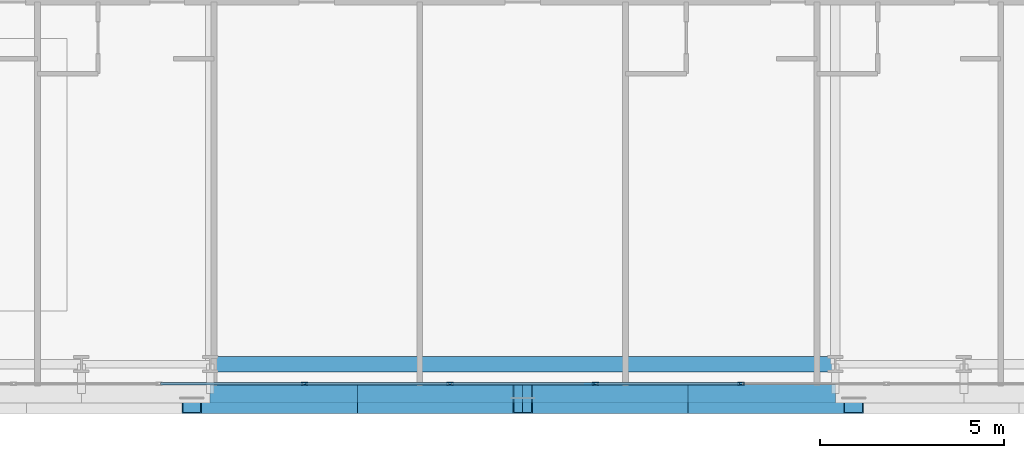
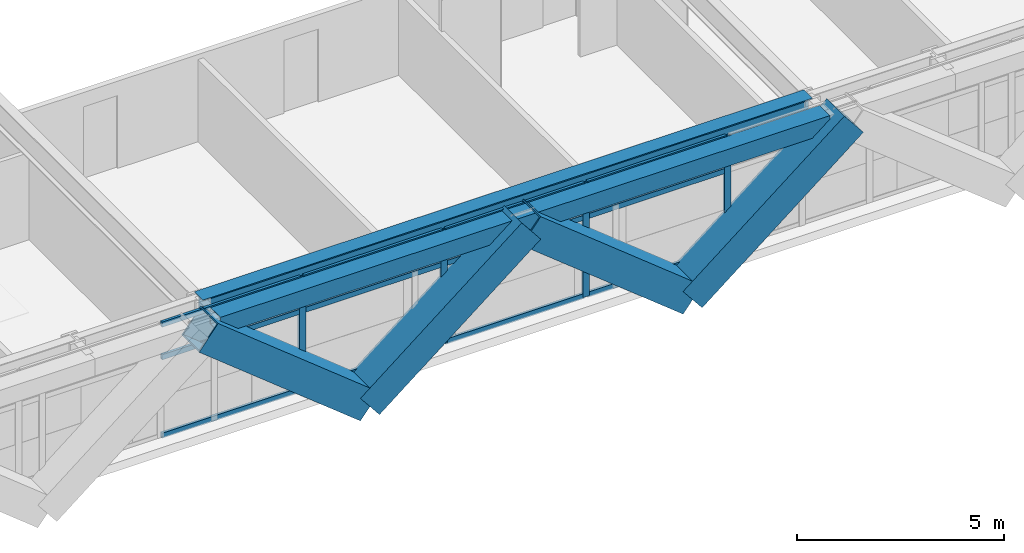
# One storey, part 5 of 41: 20 members, 2 beams, 1 element without a shape of its own.
"""IFC4 building model written with IfcOpenShell, lengths in metres."""

from ifc_helpers import new_model, si_unit, direction, frame, origin, origin_2d, place, context, subcontext, project, spatial, hollow_rectangle, i_section, extrude, source, transform, mapped, material, layer, layer_set, material_profile, profile_set, type_object, element, aggregate, save


model = new_model("IFC4")

# Units and contexts
model_context = context("Model", 3, precision=1e-05, world=origin(), true_north=direction((0.0, 1.0)))
body_context = subcontext(model_context, "Body", "Model", "MODEL_VIEW")
ifc_project = project(units=[si_unit("LENGTHUNIT", "METRE"), si_unit("AREAUNIT", "SQUARE_METRE"), si_unit("VOLUMEUNIT", "CUBIC_METRE"), si_unit("PLANEANGLEUNIT", "RADIAN"), si_unit("MASSUNIT", "GRAM", prefix="KILO")], contexts=[model_context])

# Site, building, storey
site_placement = place(None, origin())
site = spatial("IfcSite", under=ifc_project, at=site_placement, CompositionType="ELEMENT")
building_placement = place(site_placement, origin())
building = spatial("IfcBuilding", under=site, at=building_placement, Name="Ocotamira Hotel", CompositionType="ELEMENT")
storey_placement = place(building_placement, frame((0.0, 0.0, 67.199951171875)))
storey = spatial("IfcBuildingStorey", under=building, at=storey_placement, Name="L16", CompositionType="ELEMENT", Elevation=67.199951171875)

# Beams
ifc_material_1 = material(Name="Steel ASTM A992 Grade 50", Category="steel")
ifc_material_profile_1 = material_profile(ifc_material_1, i_section(OverallWidth=0.41796875, OverallDepth=0.927001953125, WebThickness=0.019287109375, FlangeThickness=0.031982421875, FilletRadius=0.02392578125, at=origin_2d()), Name="W36X231")
ifc_profile_set_1 = profile_set([ifc_material_profile_1], Name="Steel ASTM A992 Grade 50")
beam_type_1 = type_object("IfcBeamType", Name="BM-GIRD-W36X231", PredefinedType="BEAM", material=ifc_profile_set_1)
shared_shape_1 = source(origin(), body_context, "Body", "SweptSolid", [
    extrude(i_section(OverallWidth=0.41796875, OverallDepth=0.927001953125, WebThickness=0.019287109375, FlangeThickness=0.031982421875, FilletRadius=0.02392578125, at=origin_2d()), origin(), (0.0, 0.0, 1.0), 17.0),
])
beam_1_placement = place(storey_placement, frame((23.5, 2.949951171875, 2.886474609375), z_axis=(1.0, 0.0, 0.0), x_axis=(0.0, 1.0, 0.0)))
element("IfcBeam", 1, at=beam_1_placement, inside=storey, type_object=beam_type_1, Name="L16 Girder Y2.95 X23.5-40.5", PredefinedType="BEAM", context=body_context, shape_type="MappedRepresentation", body=[
    mapped(shared_shape_1, transform((0.0, 0.0, 0.0), scale=1.0)),
])
ifc_material_2 = material(Name="Steel ASTM A500 Grade C", Category="steel")
ifc_material_profile_2 = material_profile(ifc_material_2, hollow_rectangle(XDim=0.5, YDim=0.5, WallThickness=0.02001953125, at=origin_2d()), Name="HSS500X500X20")
ifc_profile_set_2 = profile_set([ifc_material_profile_2], Name="Steel ASTM A500 Grade C")
beam_type_2 = type_object("IfcBeamType", Name="BM-SPAN-HSS500", PredefinedType="USERDEFINED", material=ifc_profile_set_2)
shared_shape_2 = source(origin(), body_context, "Body", "SweptSolid", [
    extrude(hollow_rectangle(XDim=0.5, YDim=0.5, WallThickness=0.02001953125, at=origin_2d()), origin(), (0.0, 0.0, 1.0), 17.0),
])
beam_2_placement = place(storey_placement, frame((23.5, 2.14990234375, 3.10009765625), z_axis=(1.0, 0.0, 0.0), x_axis=(0.0, 1.0, 0.0)))
element("IfcBeam", 2, at=beam_2_placement, inside=storey, type_object=beam_type_2, Name="L16 Edge Spandrel S X23.5-40.5", ObjectType="SPANDREL", PredefinedType="USERDEFINED", context=body_context, shape_type="MappedRepresentation", body=[
    mapped(shared_shape_2, transform((0.0, 0.0, 0.0), scale=1.0)),
])

# Members
ifc_material_3 = material(Name="Pale-metal coated steel ASTM A913 Grade 65", Category="steel")
ifc_material_profile_3 = material_profile(ifc_material_3, hollow_rectangle(XDim=0.85009765625, YDim=0.85009765625, WallThickness=0.035888671875, at=origin_2d()), Name="BOX850X850X36")
ifc_profile_set_3 = profile_set([ifc_material_profile_3], Name="Pale-metal coated steel ASTM A913 Grade 65")
member_type_1 = type_object("IfcMemberType", Name="MEM-EXO-BOX850", PredefinedType="BRACE", material=ifc_profile_set_3)
shared_shape_3 = source(origin(), body_context, "Body", "SweptSolid", [
    extrude(hollow_rectangle(XDim=0.85009765625, YDim=0.85009765625, WallThickness=0.035888671875, at=origin_2d()), origin(), (0.0, 0.0, 1.0), 5.762939453125),
])
for number, where, z_axis, x_axis, name in (
    (3, (27.5, 2.030029296875, -0.5), (-0.780860543151, 0.0, 0.624705380279), (0.0, -1.0, 0.0), "L16 Exoskeleton Diagrid S1.1"),
    (4, (27.5, 2.030029296875, -0.5), (0.780860543151, 0.0, 0.624705380279), (0.0, 1.0, 0.0), "L16 Exoskeleton Diagrid S1.2"),
    (5, (36.5, 2.030029296875, -0.5), (-0.780860543151, 0.0, 0.624705380279), (0.0, -1.0, 0.0), "L16 Exoskeleton Diagrid S2.1"),
    (6, (36.5, 2.030029296875, -0.5), (0.780860543151, 0.0, 0.624705380279), (0.0, 1.0, 0.0), "L16 Exoskeleton Diagrid S2.2"),
):
    element("IfcMember", number, at=place(storey_placement, frame(where, z_axis=z_axis, x_axis=x_axis)), inside=storey, type_object=member_type_1, Name=name, PredefinedType="BRACE", context=body_context, shape_type="MappedRepresentation", body=[
        mapped(shared_shape_3, transform((0.0, 0.0, 0.0), scale=1.0)),
    ])

# Curtain wall, members
ifc_material_4 = material(Name="Anodised pale-metal aluminium and solar glass", Category="aluminium")
ifc_layer = layer(ifc_material_4, 0.179931640625)
ifc_layer_set = layer_set([ifc_layer], Name="Anodised pale-metal aluminium and solar glass")
curtain_wall_type = type_object("IfcCurtainWallType", Name="CW-SYS2-Z1", PredefinedType="NOTDEFINED", material=ifc_layer_set)
curtain_wall_placement = place(storey_placement, origin())
curtain_wall = element("IfcCurtainWall", 7, at=curtain_wall_placement, inside=storey, type_object=curtain_wall_type, Name="L16 Curtain Wall CW-2 CW-L16-S1", PredefinedType="NOTDEFINED")
ifc_material_5 = material(Name="Anodised pale-metal aluminium 6063-T6", Category="aluminium")
ifc_material_profile_4 = material_profile(ifc_material_5, hollow_rectangle(XDim=0.074951171875, YDim=0.14990234375, WallThickness=0.006103515625, at=origin_2d()), Name="HSS150X75X6")
ifc_profile_set_4 = profile_set([ifc_material_profile_4], Name="Anodised pale-metal aluminium 6063-T6")
member_type_2 = type_object("IfcMemberType", Name="CWT-150X75", PredefinedType="USERDEFINED", material=ifc_profile_set_4)
shared_shape_4 = source(origin(), body_context, "Body", "SweptSolid", [
    extrude(hollow_rectangle(XDim=0.074951171875, YDim=0.14990234375, WallThickness=0.006103515625, at=origin_2d()), origin(), (0.0, 0.0, 1.0), 3.87548828125),
])
member_1_placement = place(storey_placement, frame((22.151123046875, 2.419921875, 0.03759765625), z_axis=(1.0, 0.0, 0.0), x_axis=(0.0, 1.0, 0.0)))
member_1 = element("IfcMember", 8, at=member_1_placement, type_object=member_type_2, Name="CW-2 transom 3.1", ObjectType="TRANSOM", PredefinedType="USERDEFINED", context=body_context, shape_type="MappedRepresentation", body=[
    mapped(shared_shape_4, transform((0.0, 0.0, 0.0), scale=1.0)),
])
member_2_placement = place(storey_placement, frame((22.151123046875, 2.419921875, 2.35009765625), z_axis=(1.0, 0.0, 0.0), x_axis=(0.0, 1.0, 0.0)))
member_2 = element("IfcMember", 9, at=member_2_placement, type_object=member_type_2, Name="CW-2 transom 3.2", ObjectType="TRANSOM", PredefinedType="USERDEFINED", context=body_context, shape_type="MappedRepresentation", body=[
    mapped(shared_shape_4, transform((0.0, 0.0, 0.0), scale=1.0)),
])
member_3_placement = place(storey_placement, frame((22.151123046875, 2.419921875, 3.3125), z_axis=(1.0, 0.0, 0.0), x_axis=(0.0, 1.0, 0.0)))
member_3 = element("IfcMember", 10, at=member_3_placement, type_object=member_type_2, Name="CW-2 transom 3.3", ObjectType="TRANSOM", PredefinedType="USERDEFINED", context=body_context, shape_type="MappedRepresentation", body=[
    mapped(shared_shape_4, transform((0.0, 0.0, 0.0), scale=1.0)),
])
member_4_placement = place(storey_placement, frame((26.106689453125, 2.419921875, 0.03759765625), z_axis=(1.0, 0.0, 0.0), x_axis=(0.0, 1.0, 0.0)))
member_4 = element("IfcMember", 11, at=member_4_placement, type_object=member_type_2, Name="CW-2 transom 4.1", ObjectType="TRANSOM", PredefinedType="USERDEFINED", context=body_context, shape_type="MappedRepresentation", body=[
    mapped(shared_shape_4, transform((0.0, 0.0, 0.0), scale=1.0)),
])
member_5_placement = place(storey_placement, frame((26.106689453125, 2.419921875, 2.35009765625), z_axis=(1.0, 0.0, 0.0), x_axis=(0.0, 1.0, 0.0)))
member_5 = element("IfcMember", 12, at=member_5_placement, type_object=member_type_2, Name="CW-2 transom 4.2", ObjectType="TRANSOM", PredefinedType="USERDEFINED", context=body_context, shape_type="MappedRepresentation", body=[
    mapped(shared_shape_4, transform((0.0, 0.0, 0.0), scale=1.0)),
])
member_6_placement = place(storey_placement, frame((26.106689453125, 2.419921875, 3.3125), z_axis=(1.0, 0.0, 0.0), x_axis=(0.0, 1.0, 0.0)))
member_6 = element("IfcMember", 13, at=member_6_placement, type_object=member_type_2, Name="CW-2 transom 4.3", ObjectType="TRANSOM", PredefinedType="USERDEFINED", context=body_context, shape_type="MappedRepresentation", body=[
    mapped(shared_shape_4, transform((0.0, 0.0, 0.0), scale=1.0)),
])
member_7_placement = place(storey_placement, frame((30.062255859375, 2.419921875, 0.03759765625), z_axis=(1.0, 0.0, 0.0), x_axis=(0.0, 1.0, 0.0)))
member_7 = element("IfcMember", 14, at=member_7_placement, type_object=member_type_2, Name="CW-2 transom 5.1", ObjectType="TRANSOM", PredefinedType="USERDEFINED", context=body_context, shape_type="MappedRepresentation", body=[
    mapped(shared_shape_4, transform((0.0, 0.0, 0.0), scale=1.0)),
])
member_8_placement = place(storey_placement, frame((30.062255859375, 2.419921875, 2.35009765625), z_axis=(1.0, 0.0, 0.0), x_axis=(0.0, 1.0, 0.0)))
member_8 = element("IfcMember", 15, at=member_8_placement, type_object=member_type_2, Name="CW-2 transom 5.2", ObjectType="TRANSOM", PredefinedType="USERDEFINED", context=body_context, shape_type="MappedRepresentation", body=[
    mapped(shared_shape_4, transform((0.0, 0.0, 0.0), scale=1.0)),
])
member_9_placement = place(storey_placement, frame((30.062255859375, 2.419921875, 3.3125), z_axis=(1.0, 0.0, 0.0), x_axis=(0.0, 1.0, 0.0)))
member_9 = element("IfcMember", 16, at=member_9_placement, type_object=member_type_2, Name="CW-2 transom 5.3", ObjectType="TRANSOM", PredefinedType="USERDEFINED", context=body_context, shape_type="MappedRepresentation", body=[
    mapped(shared_shape_4, transform((0.0, 0.0, 0.0), scale=1.0)),
])
member_10_placement = place(storey_placement, frame((34.017822265625, 2.419921875, 0.03759765625), z_axis=(1.0, 0.0, 0.0), x_axis=(0.0, 1.0, 0.0)))
member_10 = element("IfcMember", 17, at=member_10_placement, type_object=member_type_2, Name="CW-2 transom 6.1", ObjectType="TRANSOM", PredefinedType="USERDEFINED", context=body_context, shape_type="MappedRepresentation", body=[
    mapped(shared_shape_4, transform((0.0, 0.0, 0.0), scale=1.0)),
])
member_11_placement = place(storey_placement, frame((34.017822265625, 2.419921875, 2.35009765625), z_axis=(1.0, 0.0, 0.0), x_axis=(0.0, 1.0, 0.0)))
member_11 = element("IfcMember", 18, at=member_11_placement, type_object=member_type_2, Name="CW-2 transom 6.2", ObjectType="TRANSOM", PredefinedType="USERDEFINED", context=body_context, shape_type="MappedRepresentation", body=[
    mapped(shared_shape_4, transform((0.0, 0.0, 0.0), scale=1.0)),
])
member_12_placement = place(storey_placement, frame((34.017822265625, 2.419921875, 3.3125), z_axis=(1.0, 0.0, 0.0), x_axis=(0.0, 1.0, 0.0)))
member_12 = element("IfcMember", 19, at=member_12_placement, type_object=member_type_2, Name="CW-2 transom 6.3", ObjectType="TRANSOM", PredefinedType="USERDEFINED", context=body_context, shape_type="MappedRepresentation", body=[
    mapped(shared_shape_4, transform((0.0, 0.0, 0.0), scale=1.0)),
])
ifc_material_profile_5 = material_profile(ifc_material_5, hollow_rectangle(XDim=0.080078125, YDim=0.179931640625, WallThickness=0.006103515625, at=origin_2d()), Name="HSS180X80X6")
ifc_profile_set_5 = profile_set([ifc_material_profile_5], Name="Anodised pale-metal aluminium 6063-T6")
member_type_3 = type_object("IfcMemberType", Name="CWM-180X75", PredefinedType="MULLION", material=ifc_profile_set_5)
shared_shape_5 = source(origin(), body_context, "Body", "SweptSolid", [
    extrude(hollow_rectangle(XDim=0.080078125, YDim=0.179931640625, WallThickness=0.006103515625, at=origin_2d()), origin(), (0.0, 0.0, 1.0), 3.35009765625),
])
member_13_placement = place(storey_placement, frame((26.066650390625, 2.419921875, 0.0), z_axis=(0.0, 0.0, 1.0), x_axis=(0.0, 1.0, 0.0)))
member_13 = element("IfcMember", 20, at=member_13_placement, type_object=member_type_3, Name="CW-2 mullion 4", PredefinedType="MULLION", context=body_context, shape_type="MappedRepresentation", body=[
    mapped(shared_shape_5, transform((0.0, 0.0, 0.0), scale=1.0)),
])
member_14_placement = place(storey_placement, frame((30.022216796875, 2.419921875, 0.0), z_axis=(0.0, 0.0, 1.0), x_axis=(0.0, 1.0, 0.0)))
member_14 = element("IfcMember", 21, at=member_14_placement, type_object=member_type_3, Name="CW-2 mullion 5", PredefinedType="MULLION", context=body_context, shape_type="MappedRepresentation", body=[
    mapped(shared_shape_5, transform((0.0, 0.0, 0.0), scale=1.0)),
])
member_15_placement = place(storey_placement, frame((33.977783203125, 2.419921875, 0.0), z_axis=(0.0, 0.0, 1.0), x_axis=(0.0, 1.0, 0.0)))
member_15 = element("IfcMember", 22, at=member_15_placement, type_object=member_type_3, Name="CW-2 mullion 6", PredefinedType="MULLION", context=body_context, shape_type="MappedRepresentation", body=[
    mapped(shared_shape_5, transform((0.0, 0.0, 0.0), scale=1.0)),
])
member_16_placement = place(storey_placement, frame((37.933349609375, 2.419921875, 0.0), z_axis=(0.0, 0.0, 1.0), x_axis=(0.0, 1.0, 0.0)))
member_16 = element("IfcMember", 23, at=member_16_placement, type_object=member_type_3, Name="CW-2 mullion 7", PredefinedType="MULLION", context=body_context, shape_type="MappedRepresentation", body=[
    mapped(shared_shape_5, transform((0.0, 0.0, 0.0), scale=1.0)),
])
aggregate(curtain_wall, [member_13, member_14, member_15, member_16, member_1, member_2, member_3, member_4, member_5, member_6, member_7, member_8, member_9, member_10, member_11, member_12])

save(model, "model.ifc")
